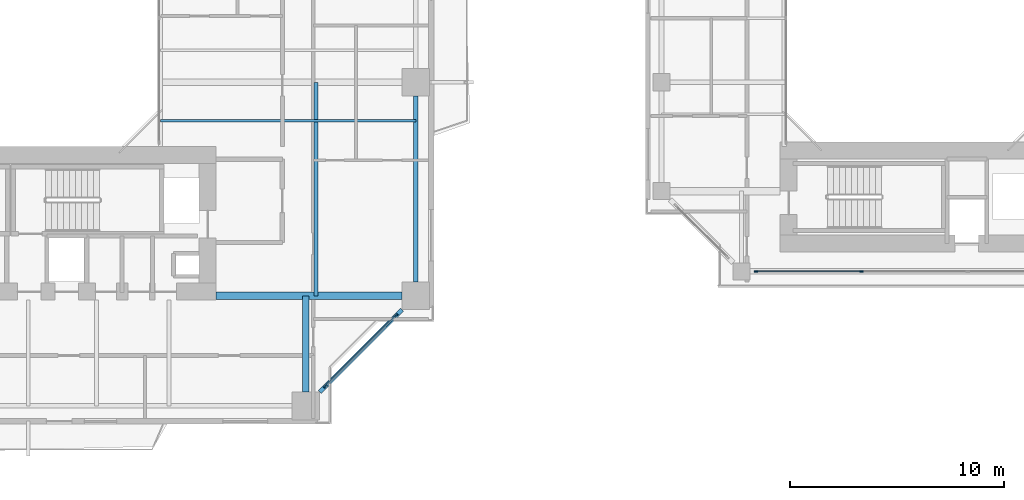
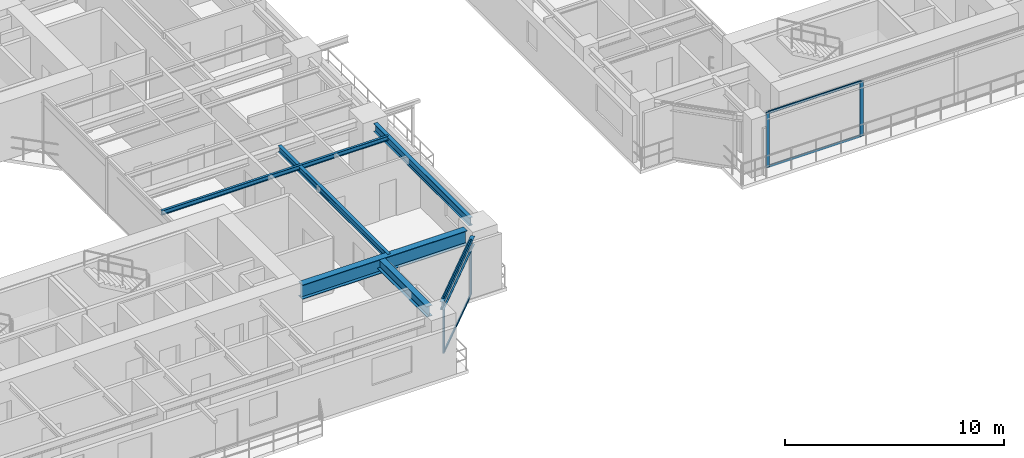
# One storey, part 5 of 23: 8 members, 6 beams, 2 elements without a shape of their own.
"""IFC4 building model written with IfcOpenShell, lengths in metres."""

from ifc_helpers import new_model, si_unit, direction, frame, origin, origin_2d, place, context, subcontext, project, spatial, rectangle, i_section, extrude, source, transform, mapped, material, layer, layer_set, material_profile, profile_set, type_object, element, aggregate, save


model = new_model("IFC4")

# Units and contexts
model_context = context("Model", 3, precision=1e-05, world=origin(), true_north=direction((0.0, 1.0)))
body_context = subcontext(model_context, "Body", "Model", "MODEL_VIEW")
ifc_project = project(units=[si_unit("LENGTHUNIT", "METRE"), si_unit("AREAUNIT", "SQUARE_METRE"), si_unit("VOLUMEUNIT", "CUBIC_METRE"), si_unit("PLANEANGLEUNIT", "RADIAN"), si_unit("MASSUNIT", "GRAM", prefix="KILO"), si_unit("THERMODYNAMICTEMPERATUREUNIT", "KELVIN"), si_unit("POWERUNIT", "WATT")], contexts=[model_context])

# Site, building, storey
site_placement = place(None, origin())
site = spatial("IfcSite", under=ifc_project, at=site_placement, CompositionType="ELEMENT")
building_placement = place(site_placement, origin())
building = spatial("IfcBuilding", under=site, at=building_placement, Name="Qiaomeng Ring Towers", CompositionType="ELEMENT")
storey_placement = place(building_placement, frame((0.0, 0.0, 86.0)))
storey = spatial("IfcBuildingStorey", under=building, at=storey_placement, Name="L24", CompositionType="ELEMENT", Elevation=86.0)

# Beams
ifc_material_1 = material(Name="Steel Q355B", Category="steel")
ifc_material_profile_1 = material_profile(ifc_material_1, i_section(OverallWidth=0.199951171875, OverallDepth=0.449951171875, WebThickness=0.009033203125, FlangeThickness=0.013916015625, FilletRadius=0.01806640625, at=origin_2d()), Name="HN 450x200x9x14")
ifc_profile_set_1 = profile_set([ifc_material_profile_1], Name="Steel Q355B")
beam_type_1 = type_object("IfcBeamType", Name="STR-BM-HN450", PredefinedType="SPANDREL", material=ifc_profile_set_1)
shared_shape_1 = source(origin(), body_context, "Body", "SweptSolid", [
    extrude(i_section(OverallWidth=0.199951171875, OverallDepth=0.449951171875, WebThickness=0.009033203125, FlangeThickness=0.013916015625, FilletRadius=0.01806640625, at=origin_2d()), origin(), (0.0, 0.0, 1.0), 5.446533203125),
])
beam_1_placement = place(storey_placement, frame((32.6494140625, 5.499267578125, 2.844970703125), z_axis=(0.707106781187, 0.707106781187, 0.0), x_axis=(-0.707106781187, 0.707106781187, 0.0)))
element("IfcBeam", 1, at=beam_1_placement, inside=storey, type_object=beam_type_1, Name="L24 beam STR-SP-L24-T1-S2-E1", PredefinedType="SPANDREL", context=body_context, shape_type="MappedRepresentation", body=[
    mapped(shared_shape_1, transform((0.0, 0.0, 0.0), x_axis=(1.0, 0.0, 0.0), y_axis=(0.0, 1.0, 0.0), z_axis=(0.0, 0.0, 1.0), scale=1.0)),
])
shared_shape_2 = source(origin(), body_context, "Body", "SweptSolid", [
    extrude(i_section(OverallWidth=0.199951171875, OverallDepth=0.449951171875, WebThickness=0.009033203125, FlangeThickness=0.013916015625, FilletRadius=0.01806640625, at=origin_2d()), origin(), (0.0, 0.0, 1.0), 8.7021484375),
])
beam_2_placement = place(storey_placement, frame((37.14990234375, 10.64892578125, 2.844970703125), z_axis=(0.0, 1.0, 0.0), x_axis=(-1.0, 0.0, 0.0)))
element("IfcBeam", 2, at=beam_2_placement, inside=storey, type_object=beam_type_1, Name="L24 beam STR-SP-L24-T1-E1-E2", PredefinedType="SPANDREL", context=body_context, shape_type="MappedRepresentation", body=[
    mapped(shared_shape_2, transform((0.0, 0.0, 0.0), x_axis=(1.0, 0.0, 0.0), y_axis=(0.0, 1.0, 0.0), z_axis=(0.0, 0.0, 1.0), scale=1.0)),
])
ifc_material_2 = material(Name="Steel Q390GJC", Category="steel")
ifc_material_profile_2 = material_profile(ifc_material_2, i_section(OverallWidth=0.35009765625, OverallDepth=0.800048828125, WebThickness=0.01611328125, FlangeThickness=0.028076171875, at=origin_2d()), Name="WH 800x350x16x28")
ifc_profile_set_2 = profile_set([ifc_material_profile_2], Name="Steel Q390GJC")
beam_type_2 = type_object("IfcBeamType", Name="STR-BM-WH800", PredefinedType="BEAM", material=ifc_profile_set_2)
shared_shape_3 = source(origin(), body_context, "Body", "SweptSolid", [
    extrude(i_section(OverallWidth=0.35009765625, OverallDepth=0.800048828125, WebThickness=0.01611328125, FlangeThickness=0.028076171875, at=origin_2d()), origin(), (0.0, 0.0, 1.0), 8.700927734375),
])
beam_3_placement = place(storey_placement, frame((27.800048828125, 10.0, 2.669921875), z_axis=(1.0, 0.0, 0.0), x_axis=(0.0, 1.0, 0.0)))
element("IfcBeam", 3, at=beam_3_placement, inside=storey, type_object=beam_type_2, Name="L24 beam STR-BM-L24-T1-RAD-E1", PredefinedType="BEAM", context=body_context, shape_type="MappedRepresentation", body=[
    mapped(shared_shape_3, transform((0.0, 0.0, 0.0), x_axis=(1.0, 0.0, 0.0), y_axis=(0.0, 1.0, 0.0), z_axis=(0.0, 0.0, 1.0), scale=1.0)),
])
ifc_material_profile_3 = material_profile(ifc_material_1, i_section(OverallWidth=0.300048828125, OverallDepth=0.587890625, WebThickness=0.011962890625, FlangeThickness=0.02001953125, FilletRadius=0.028076171875, at=origin_2d()), Name="HM 588x300x12x20")
ifc_profile_set_3 = profile_set([ifc_material_profile_3], Name="Steel Q355B")
beam_type_3 = type_object("IfcBeamType", Name="STR-BM-HM588", PredefinedType="BEAM", material=ifc_profile_set_3)
shared_shape_4 = source(origin(), body_context, "Body", "SweptSolid", [
    extrude(i_section(OverallWidth=0.300048828125, OverallDepth=0.587890625, WebThickness=0.011962890625, FlangeThickness=0.02001953125, FilletRadius=0.028076171875, at=origin_2d()), origin(), (0.0, 0.0, 1.0), 4.5009765625),
])
beam_4_placement = place(storey_placement, frame((32.0, 5.4990234375, 2.77587890625), z_axis=(0.0, 1.0, 0.0), x_axis=(-1.0, 0.0, 0.0)))
element("IfcBeam", 4, at=beam_4_placement, inside=storey, type_object=beam_type_3, Name="L24 beam STR-BM-L24-T1-RAD-S2", PredefinedType="BEAM", context=body_context, shape_type="MappedRepresentation", body=[
    mapped(shared_shape_4, transform((0.0, 0.0, 0.0), x_axis=(1.0, 0.0, 0.0), y_axis=(0.0, 1.0, 0.0), z_axis=(0.0, 0.0, 1.0), scale=1.0)),
])
ifc_material_profile_4 = material_profile(ifc_material_1, i_section(OverallWidth=0.125, OverallDepth=0.25, WebThickness=0.006103515625, FlangeThickness=0.009033203125, FilletRadius=0.011962890625, at=origin_2d()), Name="HN 250x125x6x9")
ifc_profile_set_4 = profile_set([ifc_material_profile_4], Name="Steel Q355B")
beam_type_4 = type_object("IfcBeamType", Name="STR-BM-HN250", PredefinedType="JOIST", material=ifc_profile_set_4)
shared_shape_5 = source(origin(), body_context, "Body", "SweptSolid", [
    extrude(i_section(OverallWidth=0.125, OverallDepth=0.25, WebThickness=0.006103515625, FlangeThickness=0.009033203125, FilletRadius=0.011962890625, at=origin_2d()), origin(), (0.0, 0.0, 1.0), 11.949951171875),
])
beam_5_placement = place(storey_placement, frame((25.199951171875, 18.199951171875, 2.945068359375), z_axis=(1.0, 0.0, 0.0), x_axis=(0.0, 1.0, 0.0)))
element("IfcBeam", 5, at=beam_5_placement, inside=storey, type_object=beam_type_4, Name="L24 beam STR-JST-L24-T1E-1", PredefinedType="JOIST", context=body_context, shape_type="MappedRepresentation", body=[
    mapped(shared_shape_5, transform((0.0, 0.0, 0.0), x_axis=(1.0, 0.0, 0.0), y_axis=(0.0, 1.0, 0.0), z_axis=(0.0, 0.0, 1.0), scale=1.0)),
])
ifc_material_profile_5 = material_profile(ifc_material_1, i_section(OverallWidth=0.175048828125, OverallDepth=0.35009765625, WebThickness=0.007080078125, FlangeThickness=0.010986328125, FilletRadius=0.013916015625, at=origin_2d()), Name="HN 350x175x7x11")
ifc_profile_set_5 = profile_set([ifc_material_profile_5], Name="Steel Q355B")
beam_type_5 = type_object("IfcBeamType", Name="STR-BM-HN350", PredefinedType="JOIST", material=ifc_profile_set_5)
shared_shape_6 = source(origin(), body_context, "Body", "SweptSolid", [
    extrude(i_section(OverallWidth=0.175048828125, OverallDepth=0.35009765625, WebThickness=0.007080078125, FlangeThickness=0.010986328125, FilletRadius=0.013916015625, at=origin_2d()), origin(), (0.0, 0.0, 1.0), 10.0),
])
beam_6_placement = place(storey_placement, frame((32.47509765625, 10.0, 2.89501953125), z_axis=(0.0, 1.0, 0.0), x_axis=(-1.0, 0.0, 0.0)))
element("IfcBeam", 6, at=beam_6_placement, inside=storey, type_object=beam_type_5, Name="L24 beam STR-JST-L24-T1C-ES", PredefinedType="JOIST", context=body_context, shape_type="MappedRepresentation", body=[
    mapped(shared_shape_6, transform((0.0, 0.0, 0.0), x_axis=(1.0, 0.0, 0.0), y_axis=(0.0, 1.0, 0.0), z_axis=(0.0, 0.0, 1.0), scale=1.0)),
])

# Curtain wall, members
ifc_material_3 = material(Name="Fluorocarbon dark-grey aluminium", Category="aluminium")
ifc_layer_1 = layer(ifc_material_3, 0.159912109375, Name="Fluorocarbon dark-grey aluminium")
ifc_layer_set_1 = layer_set([ifc_layer_1], Name="Fluorocarbon dark-grey aluminium")
curtain_wall_type_1 = type_object("IfcCurtainWallType", Name="ARC-CW-2", PredefinedType="NOTDEFINED", material=ifc_layer_set_1)
curtain_wall_1_placement = place(storey_placement, origin())
curtain_wall_1 = element("IfcCurtainWall", 7, at=curtain_wall_1_placement, inside=storey, type_object=curtain_wall_type_1, Name="L24 Curtain Wall CW2", PredefinedType="NOTDEFINED")
ifc_material_profile_6 = material_profile(ifc_material_3, rectangle(XDim=0.070068359375, YDim=0.179931640625, at=origin_2d()), Name="ALU MULL 70x180")
ifc_profile_set_6 = profile_set([ifc_material_profile_6], Name="Fluorocarbon dark-grey aluminium")
member_type_1 = type_object("IfcMemberType", Name="ARC-CWM-160", PredefinedType="MULLION", material=ifc_profile_set_6)
shared_shape_7 = source(origin(), body_context, "Body", "SweptSolid", [
    extrude(rectangle(XDim=0.070068359375, YDim=0.179931640625, at=origin_2d()), origin(), (0.0, 0.0, 1.0), 3.070068359375),
])
member_1_placement = place(storey_placement, frame((32.914794921875, 5.7646484375, 0.0), z_axis=(0.0, 0.0, 1.0), x_axis=(-0.707106781187, 0.707106781187, 0.0)))
member_1 = element("IfcMember", 8, at=member_1_placement, type_object=member_type_1, Name="CW2 mullion 1", PredefinedType="MULLION", context=body_context, shape_type="MappedRepresentation", body=[
    mapped(shared_shape_7, transform((0.0, 0.0, 0.0), x_axis=(1.0, 0.0, 0.0), y_axis=(0.0, 1.0, 0.0), z_axis=(0.0, 0.0, 1.0), scale=1.0)),
])
member_2_placement = place(storey_placement, frame((36.2353515625, 9.085205078125, 0.0), z_axis=(0.0, 0.0, 1.0), x_axis=(-0.707106781187, 0.707106781187, 0.0)))
member_2 = element("IfcMember", 9, at=member_2_placement, type_object=member_type_1, Name="CW2 mullion 2", PredefinedType="MULLION", context=body_context, shape_type="MappedRepresentation", body=[
    mapped(shared_shape_7, transform((0.0, 0.0, 0.0), x_axis=(1.0, 0.0, 0.0), y_axis=(0.0, 1.0, 0.0), z_axis=(0.0, 0.0, 1.0), scale=1.0)),
])

ifc_layer_2 = layer(ifc_material_3, 0.14990234375, Name="Fluorocarbon dark-grey aluminium")
ifc_layer_set_2 = layer_set([ifc_layer_2], Name="Fluorocarbon dark-grey aluminium")
curtain_wall_type_2 = type_object("IfcCurtainWallType", Name="ARC-CW-5", PredefinedType="NOTDEFINED", material=ifc_layer_set_2)
curtain_wall_2_placement = place(storey_placement, origin())
curtain_wall_2 = element("IfcCurtainWall", 10, at=curtain_wall_2_placement, inside=storey, type_object=curtain_wall_type_2, Name="L24 Curtain Wall CW5", PredefinedType="NOTDEFINED")
member_3_placement = place(storey_placement, frame((53.074951171875, 11.14990234375, 0.0), z_axis=(0.0, 0.0, 1.0), x_axis=(0.0, 1.0, 0.0)))
member_3 = element("IfcMember", 11, at=member_3_placement, type_object=member_type_1, Name="CW5 mullion 1", PredefinedType="MULLION", context=body_context, shape_type="MappedRepresentation", body=[
    mapped(shared_shape_7, transform((0.0, 0.0, 0.0), x_axis=(1.0, 0.0, 0.0), y_axis=(0.0, 1.0, 0.0), z_axis=(0.0, 0.0, 1.0), scale=1.0)),
])
member_4_placement = place(storey_placement, frame((58.013427734375, 11.14990234375, 0.0), z_axis=(0.0, 0.0, 1.0), x_axis=(0.0, 1.0, 0.0)))
member_4 = element("IfcMember", 12, at=member_4_placement, type_object=member_type_1, Name="CW5 mullion 2", PredefinedType="MULLION", context=body_context, shape_type="MappedRepresentation", body=[
    mapped(shared_shape_7, transform((0.0, 0.0, 0.0), x_axis=(1.0, 0.0, 0.0), y_axis=(0.0, 1.0, 0.0), z_axis=(0.0, 0.0, 1.0), scale=1.0)),
])

# Member
ifc_material_profile_7 = material_profile(ifc_material_3, rectangle(XDim=0.06494140625, YDim=0.1298828125, at=origin_2d()), Name="ALU TRAN 65x130")
ifc_profile_set_7 = profile_set([ifc_material_profile_7], Name="Fluorocarbon dark-grey aluminium")
member_type_2 = type_object("IfcMemberType", Name="ARC-CWT-120", PredefinedType="USERDEFINED", material=ifc_profile_set_7)
shared_shape_8 = source(origin(), body_context, "Body", "SweptSolid", [
    extrude(rectangle(XDim=0.06494140625, YDim=0.1298828125, at=origin_2d()), origin(), (0.0, 0.0, 1.0), 4.6259765625),
])
member_5_placement = place(storey_placement, frame((32.939453125, 5.78955078125, 0.032470703125), z_axis=(0.707106781187, 0.707106781187, 0.0), x_axis=(-0.707106781187, 0.707106781187, 0.0)))
member_5 = element("IfcMember", 13, at=member_5_placement, type_object=member_type_2, Name="CW2 transom 1.1", ObjectType="TRANSOM", PredefinedType="USERDEFINED", context=body_context, shape_type="MappedRepresentation", body=[
    mapped(shared_shape_8, transform((0.0, 0.0, 0.0), x_axis=(1.0, 0.0, 0.0), y_axis=(0.0, 1.0, 0.0), z_axis=(0.0, 0.0, 1.0), scale=1.0)),
])

member_6_placement = place(storey_placement, frame((32.939453125, 5.78955078125, 3.03759765625), z_axis=(0.707106781187, 0.707106781187, 0.0), x_axis=(-0.707106781187, 0.707106781187, 0.0)))
member_6 = element("IfcMember", 14, at=member_6_placement, type_object=member_type_2, Name="CW2 transom 1.2", ObjectType="TRANSOM", PredefinedType="USERDEFINED", context=body_context, shape_type="MappedRepresentation", body=[
    mapped(shared_shape_8, transform((0.0, 0.0, 0.0), x_axis=(1.0, 0.0, 0.0), y_axis=(0.0, 1.0, 0.0), z_axis=(0.0, 0.0, 1.0), scale=1.0)),
])

aggregate(curtain_wall_1, [member_1, member_2, member_5, member_6])

shared_shape_9 = source(origin(), body_context, "Body", "SweptSolid", [
    extrude(rectangle(XDim=0.06494140625, YDim=0.1298828125, at=origin_2d()), origin(), (0.0, 0.0, 1.0), 4.8681640625),
])
member_7_placement = place(storey_placement, frame((53.110107421875, 11.14990234375, 0.032470703125), z_axis=(1.0, 0.0, 0.0), x_axis=(0.0, 1.0, 0.0)))
member_7 = element("IfcMember", 15, at=member_7_placement, type_object=member_type_2, Name="CW5 transom 1.1", ObjectType="TRANSOM", PredefinedType="USERDEFINED", context=body_context, shape_type="MappedRepresentation", body=[
    mapped(shared_shape_9, transform((0.0, 0.0, 0.0), x_axis=(1.0, 0.0, 0.0), y_axis=(0.0, 1.0, 0.0), z_axis=(0.0, 0.0, 1.0), scale=1.0)),
])

member_8_placement = place(storey_placement, frame((53.110107421875, 11.14990234375, 3.03759765625), z_axis=(1.0, 0.0, 0.0), x_axis=(0.0, 1.0, 0.0)))
member_8 = element("IfcMember", 16, at=member_8_placement, type_object=member_type_2, Name="CW5 transom 1.2", ObjectType="TRANSOM", PredefinedType="USERDEFINED", context=body_context, shape_type="MappedRepresentation", body=[
    mapped(shared_shape_9, transform((0.0, 0.0, 0.0), x_axis=(1.0, 0.0, 0.0), y_axis=(0.0, 1.0, 0.0), z_axis=(0.0, 0.0, 1.0), scale=1.0)),
])

aggregate(curtain_wall_2, [member_3, member_4, member_7, member_8])

save(model, "model.ifc")
